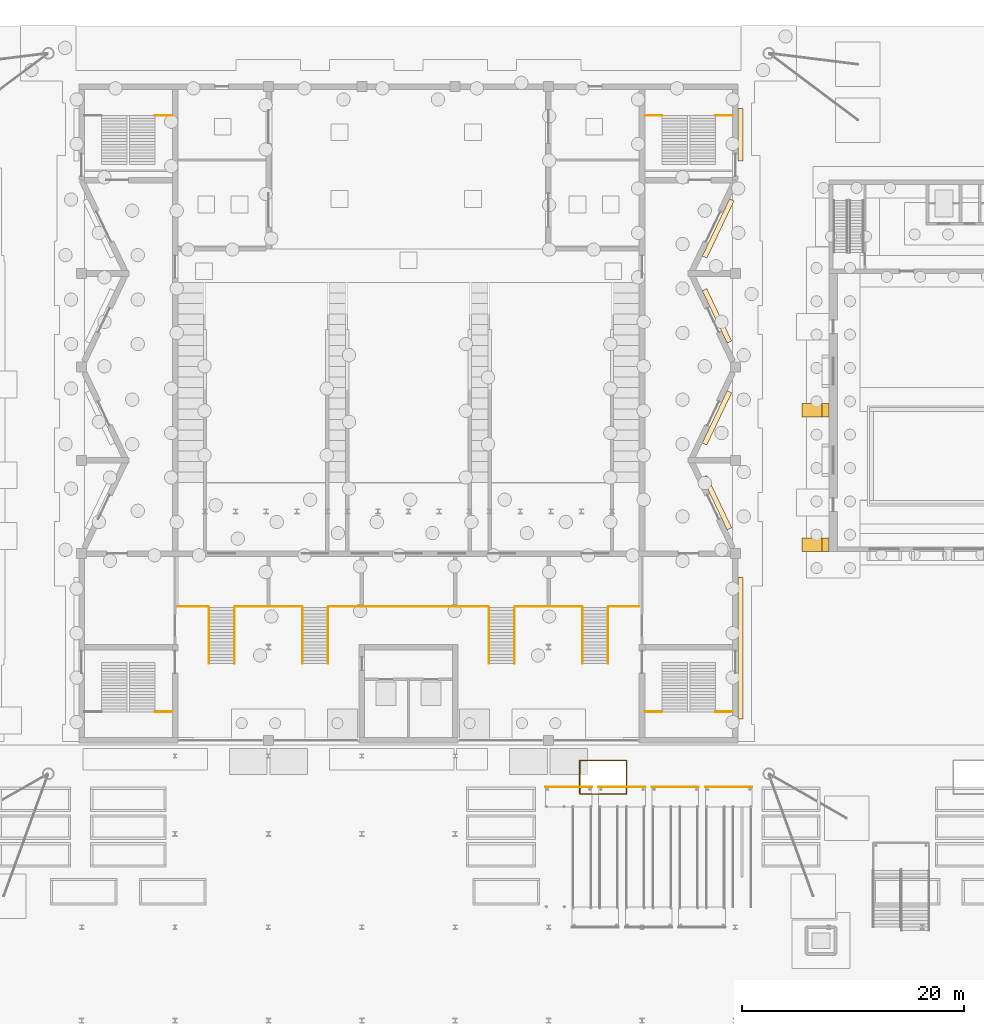
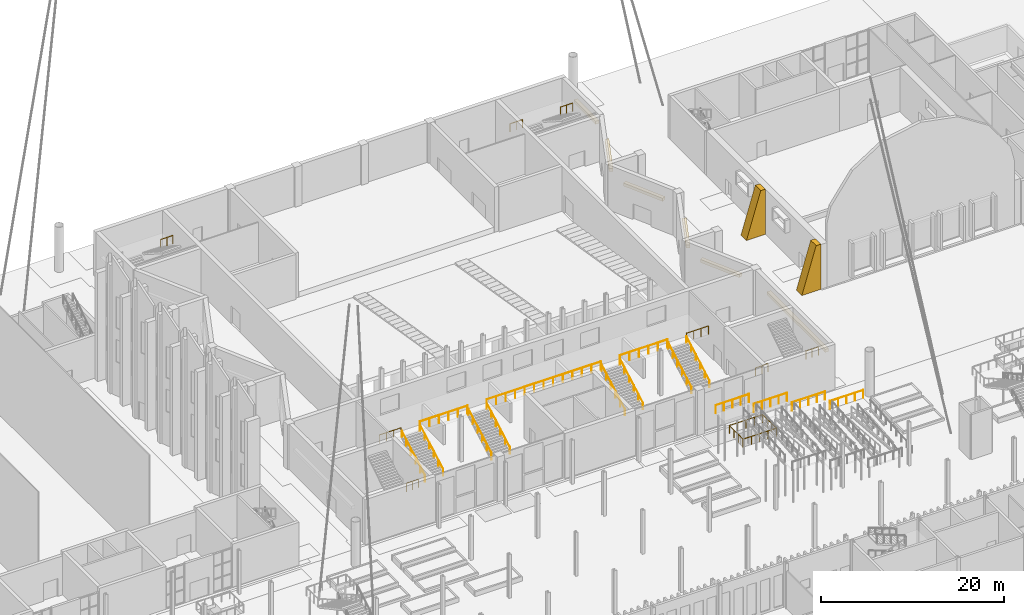
# One storey, part 98 of 108: 24 railings, 8 coverings.
"""IFC4 building model written with IfcOpenShell, lengths in metres."""

from ifc_helpers import new_model, si_unit, direction, frame, origin, origin_2d, place, context, subcontext, project, spatial, polyline, rectangle, circle, outline, extrude, material, type_object, element, save


model = new_model("IFC4")

# Units and contexts
model_context = context("Model", 3, precision=1e-05, world=origin(), true_north=direction((0.0, 1.0)))
body_context = subcontext(model_context, "Body", "Model", "MODEL_VIEW")
ifc_project = project(units=[si_unit("LENGTHUNIT", "METRE"), si_unit("AREAUNIT", "SQUARE_METRE"), si_unit("VOLUMEUNIT", "CUBIC_METRE"), si_unit("PLANEANGLEUNIT", "RADIAN"), si_unit("MASSUNIT", "GRAM", prefix="KILO")], contexts=[model_context])

# Site, building, storey
site_placement = place(None, origin())
site = spatial("IfcSite", under=ifc_project, at=site_placement, CompositionType="ELEMENT")
building_placement = place(site_placement, origin())
building = spatial("IfcBuilding", under=site, at=building_placement, Name="Cresset Court Congress Hotel", CompositionType="ELEMENT")
storey_placement = place(building_placement, origin())
storey = spatial("IfcBuildingStorey", under=building, at=storey_placement, Name="L00", CompositionType="ELEMENT", Elevation=0.0)

# Railings
ifc_material_1 = material(Name="Steel and laminated glass", Category="steel")
railing_type_1 = type_object("IfcRailingType", Name="Guard 1100 steel and glass", PredefinedType="GUARDRAIL", material=ifc_material_1)
for number, where, name in (
    (1, (65.39990234375, 61.3798828125, 3.0), "Guard CC-C1L00b"),
    (2, (109.449951171875, 61.3798828125, 3.0), "Guard CC-C2L00a"),
    (3, (115.800048828125, 61.3798828125, 3.0), "Guard CC-C2L00b"),
    (4, (65.39990234375, 115.02001953125, 3.0), "Guard CC-C3L00b"),
    (5, (109.449951171875, 115.02001953125, 3.0), "Guard CC-C4L00a"),
    (6, (115.800048828125, 115.02001953125, 3.0), "Guard CC-C4L00b"),
):
    element("IfcRailing", number, at=place(storey_placement, frame(where)), inside=storey, type_object=railing_type_1, Name=name, PredefinedType="GUARDRAIL", context=body_context, shape_type="SweptSolid", body=[
        extrude(circle(Radius=0.02490234375, at=origin_2d()), frame((0.0, 0.0, 1.0751953125), z_axis=(1.0, 0.0, 0.0), x_axis=(0.0, 1.0, 0.0)), (0.0, 0.0, 1.0), 1.550048828125),
        extrude(circle(Radius=0.02001953125, at=origin_2d()), origin(), (0.0, 0.0, 1.0), 1.050048828125),
        extrude(circle(Radius=0.02001953125, at=origin_2d()), frame((0.77490234375, 0.0, 0.0)), (0.0, 0.0, 1.0), 1.050048828125),
        extrude(circle(Radius=0.02001953125, at=origin_2d()), frame((1.550048828125, 0.0, 0.0)), (0.0, 0.0, 1.0), 1.050048828125),
    ])
railing_1_placement = place(storey_placement, frame((67.449951171875, 70.85009765625, 3.0)))
element("IfcRailing", 7, at=railing_1_placement, inside=storey, type_object=railing_type_1, Name="Guard CG-P1", PredefinedType="GUARDRAIL", context=body_context, shape_type="SweptSolid", body=[
    extrude(circle(Radius=0.02490234375, at=origin_2d()), frame((0.0, 0.0, 1.0751953125), z_axis=(1.0, 0.0, 0.0), x_axis=(0.0, 1.0, 0.0)), (0.0, 0.0, 1.0), 2.75),
    extrude(circle(Radius=0.02001953125, at=origin_2d()), origin(), (0.0, 0.0, 1.0), 1.050048828125),
    extrude(circle(Radius=0.02001953125, at=origin_2d()), frame((0.916748046875, 0.0, 0.0)), (0.0, 0.0, 1.0), 1.050048828125),
    extrude(circle(Radius=0.02001953125, at=origin_2d()), frame((1.833251953125, 0.0, 0.0)), (0.0, 0.0, 1.0), 1.050048828125),
    extrude(circle(Radius=0.02001953125, at=origin_2d()), frame((2.75, 0.0, 0.0)), (0.0, 0.0, 1.0), 1.050048828125),
])
railing_2_placement = place(storey_placement, frame((72.60009765625, 70.85009765625, 3.0)))
element("IfcRailing", 8, at=railing_2_placement, inside=storey, type_object=railing_type_1, Name="Guard CG-P2", PredefinedType="GUARDRAIL", context=body_context, shape_type="SweptSolid", body=[
    extrude(circle(Radius=0.02490234375, at=origin_2d()), frame((0.0, 0.0, 1.0751953125), z_axis=(1.0, 0.0, 0.0), x_axis=(0.0, 1.0, 0.0)), (0.0, 0.0, 1.0), 6.0),
    extrude(circle(Radius=0.02001953125, at=origin_2d()), origin(), (0.0, 0.0, 1.0), 1.050048828125),
    extrude(circle(Radius=0.02001953125, at=origin_2d()), frame((1.199951171875, 0.0, 0.0)), (0.0, 0.0, 1.0), 1.050048828125),
    extrude(circle(Radius=0.02001953125, at=origin_2d()), frame((2.39990234375, 0.0, 0.0)), (0.0, 0.0, 1.0), 1.050048828125),
    extrude(circle(Radius=0.02001953125, at=origin_2d()), frame((3.60009765625, 0.0, 0.0)), (0.0, 0.0, 1.0), 1.050048828125),
    extrude(circle(Radius=0.02001953125, at=origin_2d()), frame((4.800048828125, 0.0, 0.0)), (0.0, 0.0, 1.0), 1.050048828125),
    extrude(circle(Radius=0.02001953125, at=origin_2d()), frame((6.0, 0.0, 0.0)), (0.0, 0.0, 1.0), 1.050048828125),
])
railing_3_placement = place(storey_placement, frame((81.0, 70.85009765625, 3.0)))
element("IfcRailing", 9, at=railing_3_placement, inside=storey, type_object=railing_type_1, Name="Guard CG-P3", PredefinedType="GUARDRAIL", context=body_context, shape_type="SweptSolid", body=[
    extrude(circle(Radius=0.02490234375, at=origin_2d()), frame((0.0, 0.0, 1.0751953125), z_axis=(1.0, 0.0, 0.0), x_axis=(0.0, 1.0, 0.0)), (0.0, 0.0, 1.0), 14.39990234375),
    extrude(circle(Radius=0.02001953125, at=origin_2d()), origin(), (0.0, 0.0, 1.0), 1.050048828125),
    extrude(circle(Radius=0.02001953125, at=origin_2d()), frame((1.199951171875, 0.0, 0.0)), (0.0, 0.0, 1.0), 1.050048828125),
    extrude(circle(Radius=0.02001953125, at=origin_2d()), frame((2.39990234375, 0.0, 0.0)), (0.0, 0.0, 1.0), 1.050048828125),
    extrude(circle(Radius=0.02001953125, at=origin_2d()), frame((3.60009765625, 0.0, 0.0)), (0.0, 0.0, 1.0), 1.050048828125),
    extrude(circle(Radius=0.02001953125, at=origin_2d()), frame((4.800048828125, 0.0, 0.0)), (0.0, 0.0, 1.0), 1.050048828125),
    extrude(circle(Radius=0.02001953125, at=origin_2d()), frame((6.0, 0.0, 0.0)), (0.0, 0.0, 1.0), 1.050048828125),
    extrude(circle(Radius=0.02001953125, at=origin_2d()), frame((7.199951171875, 0.0, 0.0)), (0.0, 0.0, 1.0), 1.050048828125),
    extrude(circle(Radius=0.02001953125, at=origin_2d()), frame((8.39990234375, 0.0, 0.0)), (0.0, 0.0, 1.0), 1.050048828125),
    extrude(circle(Radius=0.02001953125, at=origin_2d()), frame((9.599853515625, 0.0, 0.0)), (0.0, 0.0, 1.0), 1.050048828125),
    extrude(circle(Radius=0.02001953125, at=origin_2d()), frame((10.7998046875, 0.0, 0.0)), (0.0, 0.0, 1.0), 1.050048828125),
    extrude(circle(Radius=0.02001953125, at=origin_2d()), frame((12.0, 0.0, 0.0)), (0.0, 0.0, 1.0), 1.050048828125),
    extrude(circle(Radius=0.02001953125, at=origin_2d()), frame((13.199951171875, 0.0, 0.0)), (0.0, 0.0, 1.0), 1.050048828125),
    extrude(circle(Radius=0.02001953125, at=origin_2d()), frame((14.39990234375, 0.0, 0.0)), (0.0, 0.0, 1.0), 1.050048828125),
])
railing_4_placement = place(storey_placement, frame((97.800048828125, 70.85009765625, 3.0)))
element("IfcRailing", 10, at=railing_4_placement, inside=storey, type_object=railing_type_1, Name="Guard CG-P4", PredefinedType="GUARDRAIL", context=body_context, shape_type="SweptSolid", body=[
    extrude(circle(Radius=0.02490234375, at=origin_2d()), frame((0.0, 0.0, 1.0751953125), z_axis=(1.0, 0.0, 0.0), x_axis=(0.0, 1.0, 0.0)), (0.0, 0.0, 1.0), 6.0),
    extrude(circle(Radius=0.02001953125, at=origin_2d()), origin(), (0.0, 0.0, 1.0), 1.050048828125),
    extrude(circle(Radius=0.02001953125, at=origin_2d()), frame((1.199951171875, 0.0, 0.0)), (0.0, 0.0, 1.0), 1.050048828125),
    extrude(circle(Radius=0.02001953125, at=origin_2d()), frame((2.39990234375, 0.0, 0.0)), (0.0, 0.0, 1.0), 1.050048828125),
    extrude(circle(Radius=0.02001953125, at=origin_2d()), frame((3.60009765625, 0.0, 0.0)), (0.0, 0.0, 1.0), 1.050048828125),
    extrude(circle(Radius=0.02001953125, at=origin_2d()), frame((4.800048828125, 0.0, 0.0)), (0.0, 0.0, 1.0), 1.050048828125),
    extrude(circle(Radius=0.02001953125, at=origin_2d()), frame((6.0, 0.0, 0.0)), (0.0, 0.0, 1.0), 1.050048828125),
])
railing_5_placement = place(storey_placement, frame((106.199951171875, 70.85009765625, 3.0)))
element("IfcRailing", 11, at=railing_5_placement, inside=storey, type_object=railing_type_1, Name="Guard CG-P5", PredefinedType="GUARDRAIL", context=body_context, shape_type="SweptSolid", body=[
    extrude(circle(Radius=0.02490234375, at=origin_2d()), frame((0.0, 0.0, 1.0751953125), z_axis=(1.0, 0.0, 0.0), x_axis=(0.0, 1.0, 0.0)), (0.0, 0.0, 1.0), 2.75),
    extrude(circle(Radius=0.02001953125, at=origin_2d()), origin(), (0.0, 0.0, 1.0), 1.050048828125),
    extrude(circle(Radius=0.02001953125, at=origin_2d()), frame((0.916748046875, 0.0, 0.0)), (0.0, 0.0, 1.0), 1.050048828125),
    extrude(circle(Radius=0.02001953125, at=origin_2d()), frame((1.833251953125, 0.0, 0.0)), (0.0, 0.0, 1.0), 1.050048828125),
    extrude(circle(Radius=0.02001953125, at=origin_2d()), frame((2.75, 0.0, 0.0)), (0.0, 0.0, 1.0), 1.050048828125),
])
ifc_material_2 = material(Name="Galvanised steel", Category="steel")
railing_type_2 = type_object("IfcRailingType", Name="Guard 1100 steel balusters", PredefinedType="GUARDRAIL", material=ifc_material_2)
railing_6_placement = place(storey_placement, frame((103.60009765625, 54.0, 0.0)))
element("IfcRailing", 12, at=railing_6_placement, inside=storey, type_object=railing_type_2, Name="Well guard 02", PredefinedType="GUARDRAIL", context=body_context, shape_type="SweptSolid", body=[
    extrude(circle(Radius=0.02490234375, at=origin_2d()), frame((0.0, 0.0, 1.0751953125), z_axis=(1.0, 0.0, 0.0), x_axis=(0.0, 1.0, 0.0)), (0.0, 0.0, 1.0), 4.199951171875),
    extrude(circle(Radius=0.02490234375, at=origin_2d()), frame((4.199951171875, 0.0, 1.0751953125), z_axis=(0.0, 1.0, 0.0), x_axis=(-1.0, 0.0, 0.0)), (0.0, 0.0, 1.0), 3.0),
    extrude(circle(Radius=0.02490234375, at=origin_2d()), frame((4.199951171875, 3.0, 1.0751953125), z_axis=(-1.0, 0.0, 0.0), x_axis=(0.0, -1.0, 0.0)), (0.0, 0.0, 1.0), 4.199951171875),
    extrude(circle(Radius=0.02490234375, at=origin_2d()), frame((0.0, 3.0, 1.0751953125), z_axis=(0.0, -1.0, 0.0), x_axis=(1.0, 0.0, 0.0)), (0.0, 0.0, 1.0), 2.93994140625),
    extrude(circle(Radius=0.02001953125, at=origin_2d()), origin(), (0.0, 0.0, 1.0), 1.050048828125),
    extrude(circle(Radius=0.02001953125, at=origin_2d()), frame((1.050048828125, 0.0, 0.0)), (0.0, 0.0, 1.0), 1.050048828125),
    extrude(circle(Radius=0.02001953125, at=origin_2d()), frame((2.10009765625, 0.0, 0.0)), (0.0, 0.0, 1.0), 1.050048828125),
    extrude(circle(Radius=0.02001953125, at=origin_2d()), frame((3.14990234375, 0.0, 0.0)), (0.0, 0.0, 1.0), 1.050048828125),
    extrude(circle(Radius=0.02001953125, at=origin_2d()), frame((4.199951171875, 0.0, 0.0)), (0.0, 0.0, 1.0), 1.050048828125),
    extrude(circle(Radius=0.02001953125, at=origin_2d()), frame((4.199951171875, 1.0, 0.0)), (0.0, 0.0, 1.0), 1.050048828125),
    extrude(circle(Radius=0.02001953125, at=origin_2d()), frame((4.199951171875, 2.0, 0.0)), (0.0, 0.0, 1.0), 1.050048828125),
    extrude(circle(Radius=0.02001953125, at=origin_2d()), frame((4.199951171875, 3.0, 0.0)), (0.0, 0.0, 1.0), 1.050048828125),
    extrude(circle(Radius=0.02001953125, at=origin_2d()), frame((3.14990234375, 3.0, 0.0)), (0.0, 0.0, 1.0), 1.050048828125),
    extrude(circle(Radius=0.02001953125, at=origin_2d()), frame((2.10009765625, 3.0, 0.0)), (0.0, 0.0, 1.0), 1.050048828125),
    extrude(circle(Radius=0.02001953125, at=origin_2d()), frame((1.050048828125, 3.0, 0.0)), (0.0, 0.0, 1.0), 1.050048828125),
    extrude(circle(Radius=0.02001953125, at=origin_2d()), frame((0.0, 3.0, 0.0)), (0.0, 0.0, 1.0), 1.050048828125),
    extrude(circle(Radius=0.02001953125, at=origin_2d()), frame((0.0, 2.02001953125, 0.0)), (0.0, 0.0, 1.0), 1.050048828125),
    extrude(circle(Radius=0.02001953125, at=origin_2d()), frame((0.0, 1.0400390625, 0.0)), (0.0, 0.0, 1.0), 1.050048828125),
    extrude(circle(Radius=0.02001953125, at=origin_2d()), frame((0.0, 0.06005859375, 0.0)), (0.0, 0.0, 1.0), 1.050048828125),
])
for number, where, name in (
    (13, (100.5, 54.60009765625, 5.25), "Ramp landing guard 2"),
    (14, (105.300048828125, 54.60009765625, 3.75), "Ramp landing guard 4"),
    (15, (110.10009765625, 54.60009765625, 2.25), "Ramp landing guard 6"),
):
    element("IfcRailing", number, at=place(storey_placement, frame(where)), inside=storey, type_object=railing_type_2, Name=name, PredefinedType="GUARDRAIL", context=body_context, shape_type="SweptSolid", body=[
        extrude(circle(Radius=0.02490234375, at=origin_2d()), frame((0.0, 0.0, 1.0751953125), z_axis=(1.0, 0.0, 0.0), x_axis=(0.0, 1.0, 0.0)), (0.0, 0.0, 1.0), 4.199951171875),
        extrude(circle(Radius=0.02001953125, at=origin_2d()), origin(), (0.0, 0.0, 1.0), 1.050048828125),
        extrude(circle(Radius=0.02001953125, at=origin_2d()), frame((1.050048828125, 0.0, 0.0)), (0.0, 0.0, 1.0), 1.050048828125),
        extrude(circle(Radius=0.02001953125, at=origin_2d()), frame((2.10009765625, 0.0, 0.0)), (0.0, 0.0, 1.0), 1.050048828125),
        extrude(circle(Radius=0.02001953125, at=origin_2d()), frame((3.14990234375, 0.0, 0.0)), (0.0, 0.0, 1.0), 1.050048828125),
        extrude(circle(Radius=0.02001953125, at=origin_2d()), frame((4.199951171875, 0.0, 0.0)), (0.0, 0.0, 1.0), 1.050048828125),
    ])
railing_7_placement = place(storey_placement, frame((114.89990234375, 54.60009765625, 0.75)))
element("IfcRailing", 16, at=railing_7_placement, inside=storey, type_object=railing_type_2, Name="Ramp landing guard 8", PredefinedType="GUARDRAIL", context=body_context, shape_type="SweptSolid", body=[
    extrude(circle(Radius=0.02490234375, at=origin_2d()), frame((0.0, 0.0, 1.0751953125), z_axis=(1.0, 0.0, 0.0), x_axis=(0.0, 1.0, 0.0)), (0.0, 0.0, 1.0), 4.2001953125),
    extrude(circle(Radius=0.02001953125, at=origin_2d()), origin(), (0.0, 0.0, 1.0), 1.050048828125),
    extrude(circle(Radius=0.02001953125, at=origin_2d()), frame((1.050048828125, 0.0, 0.0)), (0.0, 0.0, 1.0), 1.050048828125),
    extrude(circle(Radius=0.02001953125, at=origin_2d()), frame((2.10009765625, 0.0, 0.0)), (0.0, 0.0, 1.0), 1.050048828125),
    extrude(circle(Radius=0.02001953125, at=origin_2d()), frame((3.150146484375, 0.0, 0.0)), (0.0, 0.0, 1.0), 1.050048828125),
    extrude(circle(Radius=0.02001953125, at=origin_2d()), frame((4.2001953125, 0.0, 0.0)), (0.0, 0.0, 1.0), 1.050048828125),
])
ifc_material_3 = material(Name="Stainless steel", Category="steel")
railing_type_3 = type_object("IfcRailingType", Name="Handrail 900 steel internal", PredefinedType="HANDRAIL", material=ifc_material_3)
for number, where, name in (
    (17, (70.25, 65.7099609375, 0.0), "Handrail CH-V11"),
    (18, (72.550048828125, 65.7099609375, 0.0), "Handrail CH-V12"),
    (19, (78.64990234375, 65.7099609375, 0.0), "Handrail CH-V21"),
    (20, (80.949951171875, 65.7099609375, 0.0), "Handrail CH-V22"),
    (21, (95.449951171875, 65.7099609375, 0.0), "Handrail CH-V31"),
    (22, (97.75, 65.7099609375, 0.0), "Handrail CH-V32"),
    (23, (103.85009765625, 65.7099609375, 0.0), "Handrail CH-V41"),
    (24, (106.14990234375, 65.7099609375, 0.0), "Handrail CH-V42"),
):
    element("IfcRailing", number, at=place(storey_placement, frame(where)), inside=storey, type_object=railing_type_3, Name=name, PredefinedType="HANDRAIL", context=body_context, shape_type="SweptSolid", body=[
        extrude(circle(Radius=0.02490234375, at=origin_2d()), frame((0.0, 0.0, 0.875), z_axis=(0.0, 0.871056700075, 0.491182476534), x_axis=(-1.0, 0.0, 0.0)), (0.0, 0.0, 1.0), 5.7861328125),
        extrude(circle(Radius=0.02001953125, at=origin_2d()), origin(), (0.0, 0.0, 1.0), 0.849853515625),
        extrude(circle(Radius=0.02001953125, at=origin_2d()), frame((0.0, 1.008056640625, 0.568359375)), (0.0, 0.0, 1.0), 0.849853515625),
        extrude(circle(Radius=0.02001953125, at=origin_2d()), frame((0.0, 2.01611328125, 1.13671875)), (0.0, 0.0, 1.0), 0.849853515625),
        extrude(circle(Radius=0.02001953125, at=origin_2d()), frame((0.0, 3.02392578125, 1.705322265625)), (0.0, 0.0, 1.0), 0.849853515625),
        extrude(circle(Radius=0.02001953125, at=origin_2d()), frame((0.0, 4.031982421875, 2.273681640625)), (0.0, 0.0, 1.0), 0.849853515625),
        extrude(circle(Radius=0.02001953125, at=origin_2d()), frame((0.0, 5.0400390625, 2.842041015625)), (0.0, 0.0, 1.0), 0.849853515625),
    ])

# Coverings
ifc_material_4 = material(Name="Precast concrete C50", Category="concrete")
covering_type_1 = type_object("IfcCoveringType", Name="Precast reveal band 450x400", PredefinedType="CLADDING", material=ifc_material_4)
covering_1_placement = place(storey_placement, frame((118.074951171875, 67.10009765625, 3.550048828125), z_axis=(0.0, 0.0, 1.0), x_axis=(0.0, -1.0, 0.0)))
element("IfcCovering", 25, at=covering_1_placement, inside=storey, type_object=covering_type_1, Name="Reveal band E.L00.00a.1", PredefinedType="CLADDING", context=body_context, shape_type="SweptSolid", body=[
    extrude(rectangle(XDim=12.699951171875, YDim=0.449951171875, at=origin_2d()), origin(), (0.0, 0.0, 1.0), 0.39990234375),
])
for number, where, z_axis, x_axis, name in (
    (26, (115.942626953125, 80.185546875, 3.550048828125), (0.0, 0.0, 1.0), (0.429932870312, -0.902860856957, 0.0), "Reveal band E.L00.01a.1"),
    (27, (115.942626953125, 87.814453125, 3.550048828125), (0.0, 0.0, 1.0), (-0.429932870312, -0.902860856957, 0.0), "Reveal band E.L00.02a.1"),
    (28, (115.942626953125, 96.985595703125, 3.550048828125), (0.0, 0.0, 1.0), (0.429932870312, -0.902860856957, 0.0), "Reveal band E.L00.03a.1"),
):
    element("IfcCovering", number, at=place(storey_placement, frame(where, z_axis=z_axis, x_axis=x_axis)), inside=storey, type_object=covering_type_1, Name=name, PredefinedType="CLADDING", context=body_context, shape_type="SweptSolid", body=[
        extrude(rectangle(XDim=5.19775390625, YDim=0.449951171875, at=origin_2d()), origin(), (0.0, 0.0, 1.0), 0.39990234375),
    ])
covering_2_placement = place(storey_placement, frame((116.0498046875, 104.839599609375, 3.550048828125), z_axis=(0.0, 0.0, 1.0), x_axis=(-0.429932870312, -0.902860856957, 0.0)))
element("IfcCovering", 29, at=covering_2_placement, inside=storey, type_object=covering_type_1, Name="Reveal band E.L00.04a0.1", PredefinedType="CLADDING", context=body_context, shape_type="SweptSolid", body=[
    extrude(rectangle(XDim=5.696044921875, YDim=0.449951171875, at=origin_2d()), origin(), (0.0, 0.0, 1.0), 0.39990234375),
])
covering_3_placement = place(storey_placement, frame((118.074951171875, 113.27490234375, 3.550048828125), z_axis=(0.0, 0.0, 1.0), x_axis=(0.0, -1.0, 0.0)))
element("IfcCovering", 30, at=covering_3_placement, inside=storey, type_object=covering_type_1, Name="Reveal band E.L00.04a1.1", PredefinedType="CLADDING", context=body_context, shape_type="SweptSolid", body=[
    extrude(rectangle(XDim=4.75, YDim=0.449951171875, at=origin_2d()), origin(), (0.0, 0.0, 1.0), 0.39990234375),
])
ifc_material_5 = material(Name="Board-marked concrete C50", Category="concrete")
covering_type_2 = type_object("IfcCoveringType", Name="Raked buttress 1200", PredefinedType="CLADDING", material=ifc_material_5)
for number, where, name in (
    (31, (0.0, 76.39990234375, 0.0), "Raked buttress EB-W1"),
    (32, (0.0, 88.5, 0.0), "Raked buttress EB-W2"),
):
    element("IfcCovering", number, at=place(storey_placement, frame(where)), inside=storey, type_object=covering_type_2, Name=name, PredefinedType="CLADDING", context=body_context, shape_type="SweptSolid", body=[
        extrude(outline(polyline([(126.0, 6.0), (125.39990234375, 6.029296875), (123.60009765625, 0.0), (126.0, 0.0), (126.0, 6.0)])), frame((0.0, 0.60009765625, 0.0), z_axis=(0.0, -1.0, 0.0), x_axis=(1.0, 0.0, 0.0)), (0.0, 0.0, 1.0), 1.199951171875),
    ])

save(model, "model.ifc")
